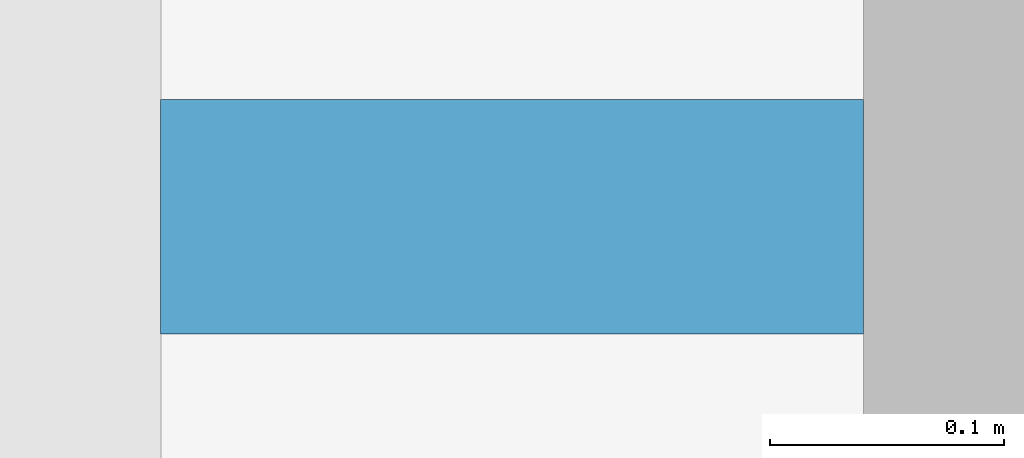
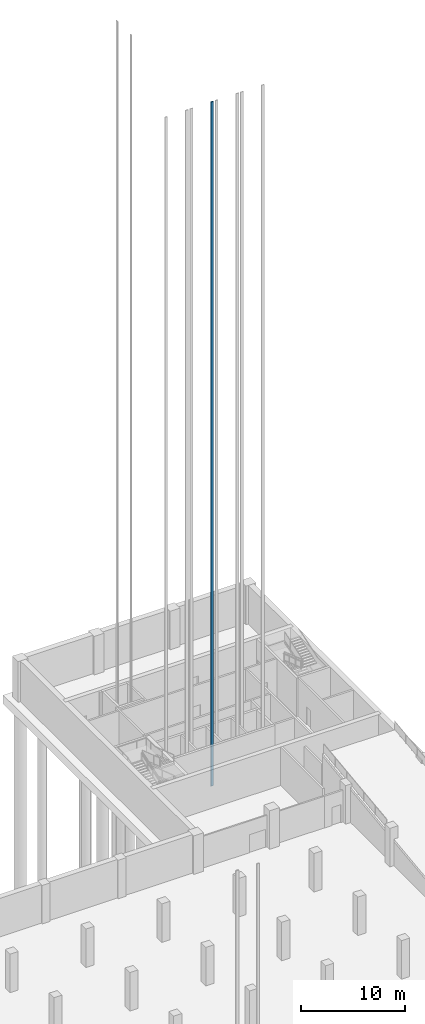
# One storey, part 15 of 26: 1 discrete accessory.
"""IFC4 building model written with IfcOpenShell, lengths in metres."""

from ifc_helpers import new_model, si_unit, direction, frame, origin, origin_2d, place, context, subcontext, project, spatial, rectangle, extrude, material, type_object, element, save


model = new_model("IFC4")

# Units and contexts
model_context = context("Model", 3, precision=1e-05, world=origin(), true_north=direction((0.0, 1.0)))
body_context = subcontext(model_context, "Body", "Model", "MODEL_VIEW")
ifc_project = project(units=[si_unit("LENGTHUNIT", "METRE"), si_unit("AREAUNIT", "SQUARE_METRE"), si_unit("VOLUMEUNIT", "CUBIC_METRE"), si_unit("PLANEANGLEUNIT", "RADIAN"), si_unit("MASSUNIT", "GRAM", prefix="KILO")], contexts=[model_context])

# Site, building, storey
site_placement = place(None, origin())
site = spatial("IfcSite", under=ifc_project, at=site_placement, CompositionType="ELEMENT")
building_placement = place(site_placement, origin())
building = spatial("IfcBuilding", under=site, at=building_placement, Name="Rulbaag Community and Learning Centre", CompositionType="ELEMENT")
storey_placement = place(building_placement, frame((0.0, 0.0, -9.60009765625)))
storey = spatial("IfcBuildingStorey", under=building, at=storey_placement, Name="B2", CompositionType="ELEMENT", Elevation=-9.60009765625)

# Discrete accessory
ifc_material = material(Name="Steel E350", Category="steel")
discrete_accessory_type = type_object("IfcDiscreteAccessoryType", Name="LR-GUIDE RAIL 300 x 100", PredefinedType="BRACKET", material=ifc_material)
discrete_accessory_placement = place(storey_placement, frame((152.25, 97.25, -1.5), z_axis=(0.0, 0.0, 1.0), x_axis=(1.0, 0.0, 0.0)))
element("IfcDiscreteAccessory", 1, at=discrete_accessory_placement, inside=storey, type_object=discrete_accessory_type, Name="Guide rail LP2 E", PredefinedType="BRACKET", context=body_context, shape_type="SweptSolid", body=[
    extrude(rectangle(XDim=0.300048828125, YDim=0.10009765625, at=origin_2d()), origin(), (0.0, 0.0, 1.0), 80.0),
])

save(model, "model.ifc")
